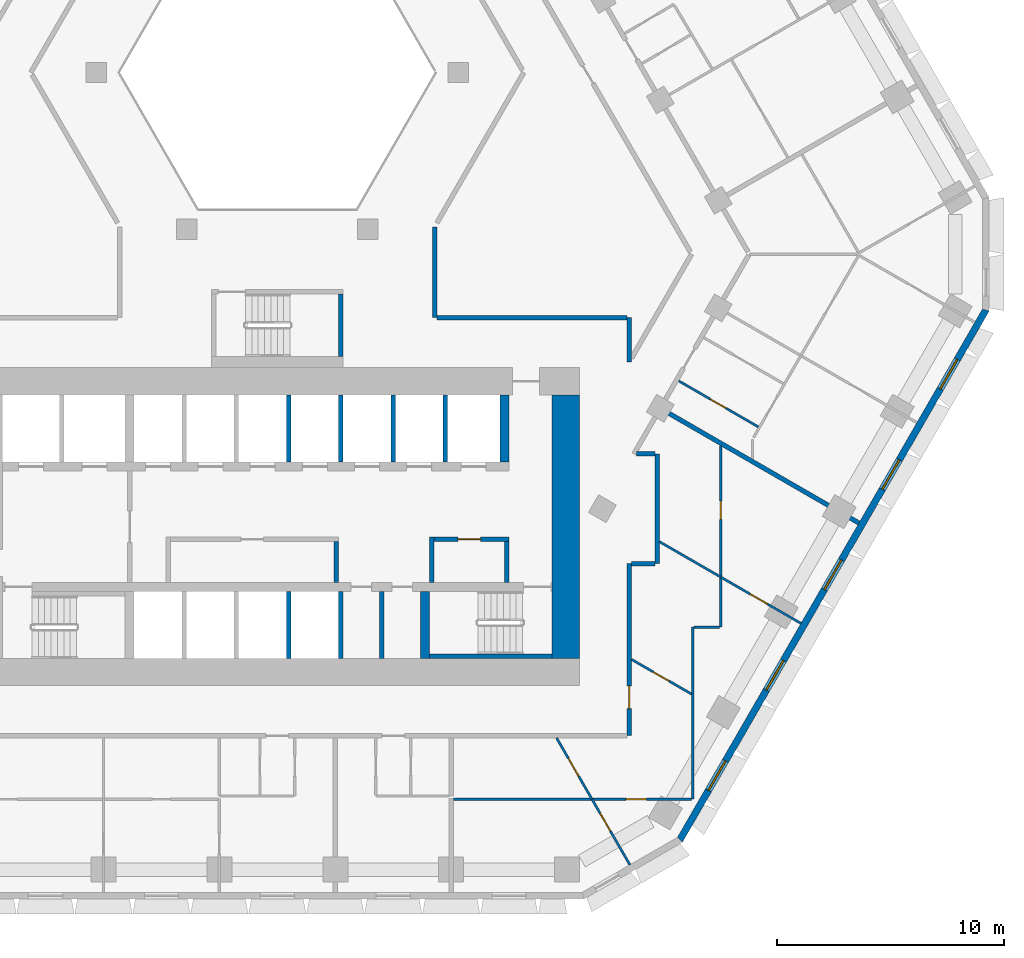
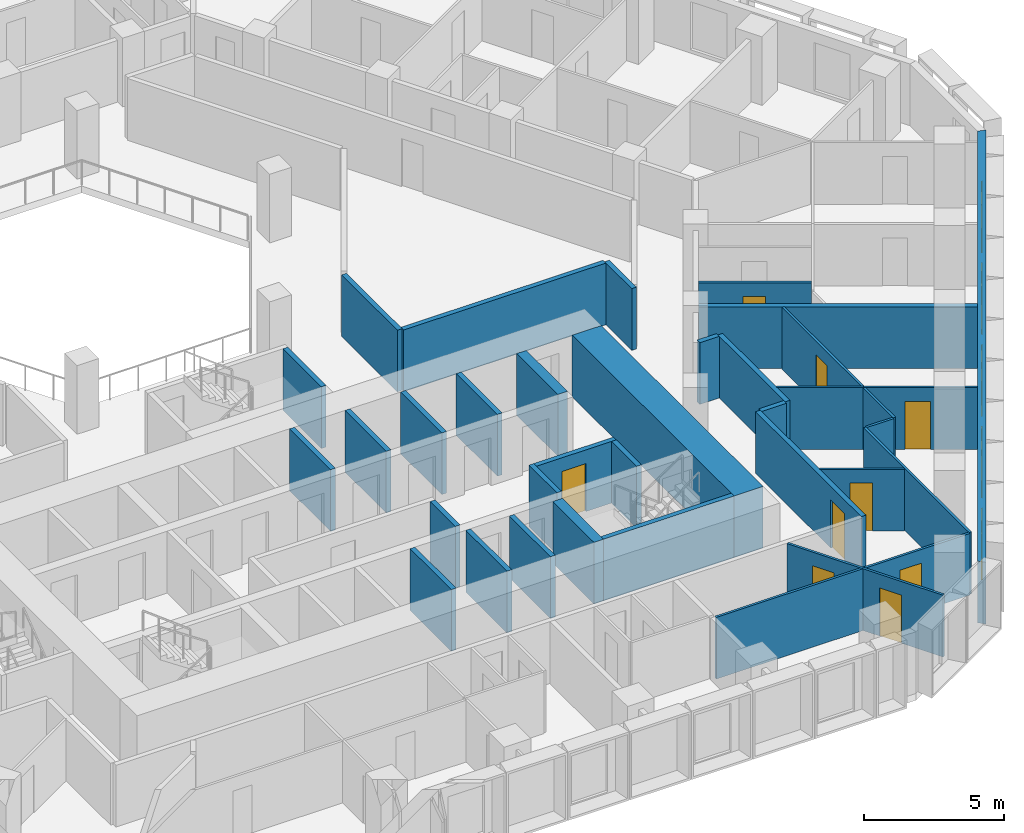
# One storey, part 6 of 16: 35 walls, 9 doors, 5 windows, 14 openings.
"""IFC4 building model written with IfcOpenShell, lengths in metres."""

from ifc_helpers import new_model, si_unit, direction, frame, frame_2d, origin, place, context, subcontext, project, spatial, polyline, rectangle, outline, extrude, material, layer, layer_set, type_object, element, fill, save


model = new_model("IFC4")

# Units and contexts
model_context = context("Model", 3, precision=1e-05, world=origin(), true_north=direction((0.0, 1.0)))
body_context = subcontext(model_context, "Body", "Model", "MODEL_VIEW")
ifc_project = project(units=[si_unit("LENGTHUNIT", "METRE"), si_unit("AREAUNIT", "SQUARE_METRE"), si_unit("VOLUMEUNIT", "CUBIC_METRE"), si_unit("PLANEANGLEUNIT", "RADIAN"), si_unit("MASSUNIT", "GRAM", prefix="KILO")], contexts=[model_context])

# Site, building, storey
site_placement = place(None, origin())
site = spatial("IfcSite", under=ifc_project, at=site_placement, CompositionType="ELEMENT")
building_placement = place(site_placement, origin())
building = spatial("IfcBuilding", under=site, at=building_placement, Name="Beryl Residences", CompositionType="ELEMENT")
storey_placement = place(building_placement, frame((0.0, 0.0, 26.39990234375)))
storey = spatial("IfcBuildingStorey", under=building, at=storey_placement, Name="L07", CompositionType="ELEMENT", Elevation=26.39990234375)

# Wall, openings, windows
ifc_material_1 = material(Name="Composite metal panel with mineral wool insulation")
ifc_layer_1 = layer(ifc_material_1, 0.300048828125)
ifc_layer_set_1 = layer_set([ifc_layer_1], Name="ES1 pale metal composite panel wall 300 mm")
wall_type_1 = type_object("IfcWallType", Name="ES1 pale metal composite panel wall 300 mm", PredefinedType="SOLIDWALL", material=ifc_layer_set_1)
wall_1_placement = place(storey_placement, frame((17.7099609375, -25.824951171875, 0.0), z_axis=(0.0, 0.0, 1.0), x_axis=(0.500001938803, 0.866024284413, 0.0)))
wall_1 = element("IfcWall", 1, at=wall_1_placement, inside=storey, type_object=wall_type_1, Name="ES1 external wall L07 SE", PredefinedType="SOLIDWALL", context=body_context, shape_type="SweptSolid", body=[
    extrude(outline(polyline([(0.0, -0.14990234375), (27.02001953125, -0.14990234375), (26.939697265625, 0.14990234375), (0.080322265625, 0.14990234375), (0.0, -0.14990234375)])), origin(), (0.0, 0.0, 1.0), 2.7001953125),
])
opening_1_placement = place(wall_1_placement, frame((2.552978515625, 0.0, 0.14990234375)))
opening_1 = element("IfcOpeningElement", 2, at=opening_1_placement, cuts=wall_1, Name="Opening W1", PredefinedType="OPENING", context=body_context, shape_type="SweptSolid", body=[
    extrude(rectangle(XDim=1.5, YDim=2.10009765625, at=frame_2d((0.75, 1.050048828125))), frame((0.0, 0.159912109375, 0.0), z_axis=(0.0, -1.0, 0.0), x_axis=(1.0, 0.0, 0.0)), (0.0, 0.0, 1.0), 0.320068359375),
])
opening_2_placement = place(wall_1_placement, frame((7.657958984375, 0.0, 0.14990234375)))
opening_2 = element("IfcOpeningElement", 3, at=opening_2_placement, cuts=wall_1, Name="Opening W1", PredefinedType="OPENING", context=body_context, shape_type="SweptSolid", body=[
    extrude(rectangle(XDim=1.5, YDim=2.10009765625, at=frame_2d((0.75, 1.050048828125))), frame((0.0, 0.159912109375, 0.0), z_axis=(0.0, -1.0, 0.0), x_axis=(1.0, 0.0, 0.0)), (0.0, 0.0, 1.0), 0.320068359375),
])
opening_3_placement = place(wall_1_placement, frame((12.760986328125, 0.0, 0.14990234375)))
opening_3 = element("IfcOpeningElement", 4, at=opening_3_placement, cuts=wall_1, Name="Opening W1", PredefinedType="OPENING", context=body_context, shape_type="SweptSolid", body=[
    extrude(rectangle(XDim=1.5, YDim=2.10009765625, at=frame_2d((0.75, 1.050048828125))), frame((0.0, 0.159912109375, 0.0), z_axis=(0.0, -1.0, 0.0), x_axis=(1.0, 0.0, 0.0)), (0.0, 0.0, 1.0), 0.320068359375),
])
opening_4_placement = place(wall_1_placement, frame((17.864990234375, 0.0, 0.14990234375)))
opening_4 = element("IfcOpeningElement", 5, at=opening_4_placement, cuts=wall_1, Name="Opening W1", PredefinedType="OPENING", context=body_context, shape_type="SweptSolid", body=[
    extrude(rectangle(XDim=1.5, YDim=2.10009765625, at=frame_2d((0.75, 1.050048828125))), frame((0.0, 0.159912109375, 0.0), z_axis=(0.0, -1.0, 0.0), x_axis=(1.0, 0.0, 0.0)), (0.0, 0.0, 1.0), 0.320068359375),
])
opening_5_placement = place(wall_1_placement, frame((22.968994140625, 0.0, 0.14990234375)))
opening_5 = element("IfcOpeningElement", 6, at=opening_5_placement, cuts=wall_1, Name="Opening W1", PredefinedType="OPENING", context=body_context, shape_type="SweptSolid", body=[
    extrude(rectangle(XDim=1.5, YDim=2.10009765625, at=frame_2d((0.75, 1.050048828125))), frame((0.0, 0.159912109375, 0.0), z_axis=(0.0, -1.0, 0.0), x_axis=(1.0, 0.0, 0.0)), (0.0, 0.0, 1.0), 0.320068359375),
])
ifc_material_2 = material(Name="Aluminium and clear glass", Category="aluminium")
window_type = type_object("IfcWindowType", Name="W1 cell window 1500 x 2100 mm", PartitioningType="SINGLE_PANEL", PredefinedType="WINDOW", material=ifc_material_2)
window_1_placement = place(opening_1_placement, origin())
window_1 = element("IfcWindow", 7, at=window_1_placement, inside=storey, type_object=window_type, Name="W1 window L07 SE 2", OverallHeight=2.10009765625, OverallWidth=1.5, PartitioningType="SINGLE_PANEL", PredefinedType="WINDOW", context=body_context, shape_type="SweptSolid", body=[
    extrude(rectangle(XDim=1.5, YDim=2.10009765625, at=frame_2d((0.75, 1.050048828125))), frame((0.0, 0.030029296875, 0.0), z_axis=(0.0, -1.0, 0.0), x_axis=(1.0, 0.0, 0.0)), (0.0, 0.0, 1.0), 0.06005859375),
])
fill(opening_1, window_1)
window_2_placement = place(opening_2_placement, origin())
window_2 = element("IfcWindow", 8, at=window_2_placement, inside=storey, type_object=window_type, Name="W1 window L07 SE 4", OverallHeight=2.10009765625, OverallWidth=1.5, PartitioningType="SINGLE_PANEL", PredefinedType="WINDOW", context=body_context, shape_type="SweptSolid", body=[
    extrude(rectangle(XDim=1.5, YDim=2.10009765625, at=frame_2d((0.75, 1.050048828125))), frame((0.0, 0.030029296875, 0.0), z_axis=(0.0, -1.0, 0.0), x_axis=(1.0, 0.0, 0.0)), (0.0, 0.0, 1.0), 0.06005859375),
])
fill(opening_2, window_2)
window_3_placement = place(opening_3_placement, origin())
window_3 = element("IfcWindow", 9, at=window_3_placement, inside=storey, type_object=window_type, Name="W1 window L07 SE 6", OverallHeight=2.10009765625, OverallWidth=1.5, PartitioningType="SINGLE_PANEL", PredefinedType="WINDOW", context=body_context, shape_type="SweptSolid", body=[
    extrude(rectangle(XDim=1.5, YDim=2.10009765625, at=frame_2d((0.75, 1.050048828125))), frame((0.0, 0.030029296875, 0.0), z_axis=(0.0, -1.0, 0.0), x_axis=(1.0, 0.0, 0.0)), (0.0, 0.0, 1.0), 0.06005859375),
])
fill(opening_3, window_3)
window_4_placement = place(opening_4_placement, origin())
window_4 = element("IfcWindow", 10, at=window_4_placement, inside=storey, type_object=window_type, Name="W1 window L07 SE 8", OverallHeight=2.10009765625, OverallWidth=1.5, PartitioningType="SINGLE_PANEL", PredefinedType="WINDOW", context=body_context, shape_type="SweptSolid", body=[
    extrude(rectangle(XDim=1.5, YDim=2.10009765625, at=frame_2d((0.75, 1.050048828125))), frame((0.0, 0.030029296875, 0.0), z_axis=(0.0, -1.0, 0.0), x_axis=(1.0, 0.0, 0.0)), (0.0, 0.0, 1.0), 0.06005859375),
])
fill(opening_4, window_4)
window_5_placement = place(opening_5_placement, origin())
window_5 = element("IfcWindow", 11, at=window_5_placement, inside=storey, type_object=window_type, Name="W1 window L07 SE 10", OverallHeight=2.10009765625, OverallWidth=1.5, PartitioningType="SINGLE_PANEL", PredefinedType="WINDOW", context=body_context, shape_type="SweptSolid", body=[
    extrude(rectangle(XDim=1.5, YDim=2.10009765625, at=frame_2d((0.75, 1.050048828125))), frame((0.0, 0.030029296875, 0.0), z_axis=(0.0, -1.0, 0.0), x_axis=(1.0, 0.0, 0.0)), (0.0, 0.0, 1.0), 0.06005859375),
])
fill(opening_5, window_5)

# Wall, opening, door
ifc_material_3 = material(Name="Gypsum board partition on steel studs", Category="steel")
ifc_layer_2 = layer(ifc_material_3, 0.10009765625)
ifc_layer_set_2 = layer_set([ifc_layer_2], Name="PT1 partition 100 mm gypsum board on steel studs")
wall_type_2 = type_object("IfcWallType", Name="PT1 partition 100 mm gypsum board on steel studs", PredefinedType="PARTITIONING", material=ifc_layer_set_2)
wall_2_placement = place(storey_placement, frame((12.297119140625, -21.300048828125, 0.0), z_axis=(0.0, 0.0, 1.0), x_axis=(0.500004896655, -0.866022576681, 0.0)))
wall_2 = element("IfcWall", 12, at=wall_2_placement, inside=storey, type_object=wall_type_2, Name="Wall PT1 L07 003", PredefinedType="PARTITIONING", context=body_context, shape_type="SweptSolid", body=[
    extrude(rectangle(XDim=3.11767578125, YDim=0.10009765625, at=frame_2d((1.558837890625, 0.0))), origin(), (0.0, 0.0, 1.0), 2.7001953125),
])
opening_6_placement = place(wall_2_placement, frame((1.051025390625, 0.0, 0.0)))
opening_6 = element("IfcOpeningElement", 13, at=opening_6_placement, cuts=wall_2, Name="Opening D0436", PredefinedType="OPENING", context=body_context, shape_type="SweptSolid", body=[
    extrude(rectangle(XDim=0.89990234375, YDim=2.10009765625, at=frame_2d((0.449951171875, 1.050048828125))), frame((0.0, 0.06005859375, 0.0), z_axis=(0.0, -1.0, 0.0), x_axis=(1.0, 0.0, 0.0)), (0.0, 0.0, 1.0), 0.1201171875),
])
ifc_material_4 = material(Name="Timber door leaf", Category="wood")
door_type_1 = type_object("IfcDoorType", Name="D2 room door 900 x 2100 mm", OperationType="SINGLE_SWING_LEFT", PredefinedType="DOOR", material=ifc_material_4)
door_1_placement = place(opening_6_placement, origin())
door_1 = element("IfcDoor", 14, at=door_1_placement, inside=storey, type_object=door_type_1, Name="Door D0436 L07 001", OperationType="SINGLE_SWING_RIGHT", OverallHeight=2.10009765625, OverallWidth=0.89990234375, PredefinedType="DOOR", context=body_context, shape_type="SweptSolid", body=[
    extrude(rectangle(XDim=0.89990234375, YDim=2.10009765625, at=frame_2d((0.449951171875, 1.050048828125))), frame((0.0, 0.02490234375, 0.0), z_axis=(0.0, -1.0, 0.0), x_axis=(1.0, 0.0, 0.0)), (0.0, 0.0, 1.0), 0.050048828125),
])
fill(opening_6, door_1)

wall_3_placement = place(storey_placement, frame((15.60009765625, -17.845947265625, 0.0), z_axis=(0.0, 0.0, 1.0), x_axis=(0.866148385016, -0.499786929736, 0.0)))
wall_3 = element("IfcWall", 15, at=wall_3_placement, inside=storey, type_object=wall_type_2, Name="Wall PT1 L07 017", PredefinedType="PARTITIONING", context=body_context, shape_type="SweptSolid", body=[
    extrude(rectangle(XDim=3.059326171875, YDim=0.10009765625, at=frame_2d((1.52978515625, 0.0))), origin(), (0.0, 0.0, 1.0), 2.7001953125),
])
opening_7_placement = place(wall_3_placement, frame((1.10107421875, 0.0, 0.0)))
opening_7 = element("IfcOpeningElement", 16, at=opening_7_placement, cuts=wall_3, Name="Opening D0437", PredefinedType="OPENING", context=body_context, shape_type="SweptSolid", body=[
    extrude(rectangle(XDim=0.800048828125, YDim=2.10009765625, at=frame_2d((0.39990234375, 1.050048828125))), frame((0.0, 0.06005859375, 0.0), z_axis=(0.0, -1.0, 0.0), x_axis=(1.0, 0.0, 0.0)), (0.0, 0.0, 1.0), 0.1201171875),
])
ifc_material_5 = material(Name="Timber door leaf", Category="wood")
door_type_2 = type_object("IfcDoorType", Name="D3 bathroom door 800 x 2100 mm", OperationType="SINGLE_SWING_LEFT", PredefinedType="DOOR", material=ifc_material_5)
door_2_placement = place(opening_7_placement, origin())
door_2 = element("IfcDoor", 17, at=door_2_placement, inside=storey, type_object=door_type_2, Name="Door D0437 L07 001", OperationType="SINGLE_SWING_LEFT", OverallHeight=2.10009765625, OverallWidth=0.800048828125, PredefinedType="DOOR", context=body_context, shape_type="SweptSolid", body=[
    extrude(rectangle(XDim=0.800048828125, YDim=2.10009765625, at=frame_2d((0.39990234375, 1.050048828125))), frame((0.0, 0.02490234375, 0.0), z_axis=(0.0, -1.0, 0.0), x_axis=(1.0, 0.0, 0.0)), (0.0, 0.0, 1.0), 0.050048828125),
])
fill(opening_7, door_2)

# Wall
wall_4_placement = place(storey_placement, frame((16.827880859375, -12.660888671875, 0.0), z_axis=(0.0, 0.0, 1.0), x_axis=(0.866008246423, -0.500029716244, 0.0)))
element("IfcWall", 18, at=wall_4_placement, inside=storey, type_object=wall_type_2, Name="Wall PT1 L07 019", PredefinedType="PARTITIONING", context=body_context, shape_type="SweptSolid", body=[
    extrude(rectangle(XDim=3.117919921875, YDim=0.10009765625, at=frame_2d((1.55908203125, 0.0))), origin(), (0.0, 0.0, 1.0), 2.7001953125),
])

# Wall, opening, door
wall_5_placement = place(storey_placement, frame((17.677001953125, -5.58203125, 0.0), z_axis=(0.0, 0.0, 1.0), x_axis=(0.866015917575, -0.500016430238, 0.0)))
wall_5 = element("IfcWall", 19, at=wall_5_placement, inside=storey, type_object=wall_type_2, Name="Wall PT1 L07 020", PredefinedType="PARTITIONING", context=body_context, shape_type="SweptSolid", body=[
    extrude(rectangle(XDim=4.049560546875, YDim=0.10009765625, at=frame_2d((2.02490234375, 0.0))), origin(), (0.0, 0.0, 1.0), 2.7001953125),
])
opening_8_placement = place(wall_5_placement, frame((1.60009765625, 0.0, 0.0)))
opening_8 = element("IfcOpeningElement", 20, at=opening_8_placement, cuts=wall_5, Name="Opening D0442", PredefinedType="OPENING", context=body_context, shape_type="SweptSolid", body=[
    extrude(rectangle(XDim=0.800048828125, YDim=2.10009765625, at=frame_2d((0.39990234375, 1.050048828125))), frame((0.0, 0.06005859375, 0.0), z_axis=(0.0, -1.0, 0.0), x_axis=(1.0, 0.0, 0.0)), (0.0, 0.0, 1.0), 0.1201171875),
])
door_3_placement = place(opening_8_placement, origin())
door_3 = element("IfcDoor", 21, at=door_3_placement, inside=storey, type_object=door_type_2, Name="Door D0442 L07 001", OperationType="SINGLE_SWING_RIGHT", OverallHeight=2.10009765625, OverallWidth=0.800048828125, PredefinedType="DOOR", context=body_context, shape_type="SweptSolid", body=[
    extrude(rectangle(XDim=0.800048828125, YDim=2.10009765625, at=frame_2d((0.39990234375, 1.050048828125))), frame((0.0, 0.02490234375, 0.0), z_axis=(0.0, -1.0, 0.0), x_axis=(1.0, 0.0, 0.0)), (0.0, 0.0, 1.0), 0.050048828125),
])
fill(opening_8, door_3)

# Wall
wall_6_placement = place(storey_placement, frame((18.35009765625, -16.424072265625, 0.0), z_axis=(0.0, 0.0, 1.0), x_axis=(1.0, 0.0, 0.0)))
element("IfcWall", 22, at=wall_6_placement, inside=storey, type_object=wall_type_2, Name="Wall PT1 L07 029", PredefinedType="PARTITIONING", context=body_context, shape_type="SweptSolid", body=[
    extrude(rectangle(XDim=1.1279296875, YDim=0.10009765625, at=frame_2d((0.56396484375, 0.0))), origin(), (0.0, 0.0, 1.0), 2.7001953125),
])

# Wall, opening, door
wall_7_placement = place(storey_placement, frame((7.757080078125, -24.0, 0.0), z_axis=(0.0, 0.0, 1.0), x_axis=(1.0, 0.0, 0.0)))
wall_7 = element("IfcWall", 23, at=wall_7_placement, inside=storey, type_object=wall_type_2, Name="Wall PT1 L07 033", PredefinedType="PARTITIONING", context=body_context, shape_type="SweptSolid", body=[
    extrude(rectangle(XDim=10.492919921875, YDim=0.10009765625, at=frame_2d((5.24658203125, 0.0))), origin(), (0.0, 0.0, 1.0), 2.7001953125),
])
opening_9_placement = place(wall_7_placement, frame((7.593017578125, 0.0, 0.0)))
opening_9 = element("IfcOpeningElement", 24, at=opening_9_placement, cuts=wall_7, Name="Opening D0435", PredefinedType="OPENING", context=body_context, shape_type="SweptSolid", body=[
    extrude(rectangle(XDim=0.89990234375, YDim=2.10009765625, at=frame_2d((0.449951171875, 1.050048828125))), frame((0.0, 0.06005859375, 0.0), z_axis=(0.0, -1.0, 0.0), x_axis=(1.0, 0.0, 0.0)), (0.0, 0.0, 1.0), 0.1201171875),
])
door_4_placement = place(opening_9_placement, origin())
door_4 = element("IfcDoor", 25, at=door_4_placement, inside=storey, type_object=door_type_1, Name="Door D0435 L07 001", OperationType="SINGLE_SWING_LEFT", OverallHeight=2.10009765625, OverallWidth=0.89990234375, PredefinedType="DOOR", context=body_context, shape_type="SweptSolid", body=[
    extrude(rectangle(XDim=0.89990234375, YDim=2.10009765625, at=frame_2d((0.449951171875, 1.050048828125))), frame((0.0, 0.02490234375, 0.0), z_axis=(0.0, -1.0, 0.0), x_axis=(1.0, 0.0, 0.0)), (0.0, 0.0, 1.0), 0.050048828125),
])
fill(opening_9, door_4)

# Wall
wall_8_placement = place(storey_placement, frame((18.300048828125, -24.0, 0.0), z_axis=(0.0, 0.0, 1.0), x_axis=(0.0, 1.0, 0.0)))
element("IfcWall", 26, at=wall_8_placement, inside=storey, type_object=wall_type_2, Name="Wall PT1 L07 046", PredefinedType="PARTITIONING", context=body_context, shape_type="SweptSolid", body=[
    extrude(rectangle(XDim=7.575927734375, YDim=0.10009765625, at=frame_2d((3.7880859375, 0.0))), origin(), (0.0, 0.0, 1.0), 2.7001953125),
])

# Wall, opening, door
wall_9_placement = place(storey_placement, frame((19.528076171875, -16.424072265625, 0.0), z_axis=(0.0, 0.0, 1.0), x_axis=(0.0, 1.0, 0.0)))
wall_9 = element("IfcWall", 27, at=wall_9_placement, inside=storey, type_object=wall_type_2, Name="Wall PT1 L07 047", PredefinedType="PARTITIONING", context=body_context, shape_type="SweptSolid", body=[
    extrude(rectangle(XDim=7.982177734375, YDim=0.10009765625, at=frame_2d((3.9912109375, 0.0))), origin(), (0.0, 0.0, 1.0), 2.7001953125),
])
opening_10_placement = place(wall_9_placement, frame((4.75, 0.0, 0.0)))
opening_10 = element("IfcOpeningElement", 28, at=opening_10_placement, cuts=wall_9, Name="Opening D0440", PredefinedType="OPENING", context=body_context, shape_type="SweptSolid", body=[
    extrude(rectangle(XDim=0.800048828125, YDim=2.10009765625, at=frame_2d((0.39990234375, 1.050048828125))), frame((0.0, 0.06005859375, 0.0), z_axis=(0.0, -1.0, 0.0), x_axis=(1.0, 0.0, 0.0)), (0.0, 0.0, 1.0), 0.1201171875),
])
door_5_placement = place(opening_10_placement, origin())
door_5 = element("IfcDoor", 29, at=door_5_placement, inside=storey, type_object=door_type_2, Name="Door D0440 L07 001", OperationType="SINGLE_SWING_RIGHT", OverallHeight=2.10009765625, OverallWidth=0.800048828125, PredefinedType="DOOR", context=body_context, shape_type="SweptSolid", body=[
    extrude(rectangle(XDim=0.800048828125, YDim=2.10009765625, at=frame_2d((0.39990234375, 1.050048828125))), frame((0.0, 0.02490234375, 0.0), z_axis=(0.0, -1.0, 0.0), x_axis=(1.0, 0.0, 0.0)), (0.0, 0.0, 1.0), 0.050048828125),
])
fill(opening_10, door_5)

wall_10_placement = place(storey_placement, frame((13.85595703125, -24.0, 0.0), z_axis=(0.0, 0.0, 1.0), x_axis=(0.50010451262, -0.865965054986, 0.0)))
wall_10 = element("IfcWall", 30, at=wall_10_placement, inside=storey, type_object=wall_type_2, Name="Wall PT1 L07 072", PredefinedType="PARTITIONING", context=body_context, shape_type="SweptSolid", body=[
    extrude(rectangle(XDim=3.337158203125, YDim=0.10009765625, at=frame_2d((1.66845703125, 0.0))), origin(), (0.0, 0.0, 1.0), 2.7001953125),
])
opening_11_placement = place(wall_10_placement, frame((0.718017578125, 0.0, 0.0)))
opening_11 = element("IfcOpeningElement", 31, at=opening_11_placement, cuts=wall_10, Name="Opening D0439", PredefinedType="OPENING", context=body_context, shape_type="SweptSolid", body=[
    extrude(rectangle(XDim=0.89990234375, YDim=2.10009765625, at=frame_2d((0.449951171875, 1.050048828125))), frame((0.0, 0.06005859375, 0.0), z_axis=(0.0, -1.0, 0.0), x_axis=(1.0, 0.0, 0.0)), (0.0, 0.0, 1.0), 0.1201171875),
])
door_6_placement = place(opening_11_placement, origin())
door_6 = element("IfcDoor", 32, at=door_6_placement, inside=storey, type_object=door_type_1, Name="Door D0439 L07 001", OperationType="SINGLE_SWING_LEFT", OverallHeight=2.10009765625, OverallWidth=0.89990234375, PredefinedType="DOOR", context=body_context, shape_type="SweptSolid", body=[
    extrude(rectangle(XDim=0.89990234375, YDim=2.10009765625, at=frame_2d((0.449951171875, 1.050048828125))), frame((0.0, 0.02490234375, 0.0), z_axis=(0.0, -1.0, 0.0), x_axis=(1.0, 0.0, 0.0)), (0.0, 0.0, 1.0), 0.050048828125),
])
fill(opening_11, door_6)

wall_11_placement = place(storey_placement, frame((19.528076171875, -14.219970703125, 0.0), z_axis=(0.0, 0.0, 1.0), x_axis=(0.866039047082, -0.499976368371, 0.0)))
wall_11 = element("IfcWall", 33, at=wall_11_placement, inside=storey, type_object=wall_type_2, Name="Wall PT1 L07 073", PredefinedType="PARTITIONING", context=body_context, shape_type="SweptSolid", body=[
    extrude(rectangle(XDim=4.078369140625, YDim=0.10009765625, at=frame_2d((2.0390625, 0.0))), origin(), (0.0, 0.0, 1.0), 2.7001953125),
])
opening_12_placement = place(wall_11_placement, frame((1.489013671875, 0.0, 0.0)))
opening_12 = element("IfcOpeningElement", 34, at=opening_12_placement, cuts=wall_11, Name="Opening D0438", PredefinedType="OPENING", context=body_context, shape_type="SweptSolid", body=[
    extrude(rectangle(XDim=0.89990234375, YDim=2.10009765625, at=frame_2d((0.449951171875, 1.050048828125))), frame((0.0, 0.06005859375, 0.0), z_axis=(0.0, -1.0, 0.0), x_axis=(1.0, 0.0, 0.0)), (0.0, 0.0, 1.0), 0.1201171875),
])
door_7_placement = place(opening_12_placement, origin())
door_7 = element("IfcDoor", 35, at=door_7_placement, inside=storey, type_object=door_type_1, Name="Door D0438 L07 001", OperationType="SINGLE_SWING_RIGHT", OverallHeight=2.10009765625, OverallWidth=0.89990234375, PredefinedType="DOOR", context=body_context, shape_type="SweptSolid", body=[
    extrude(rectangle(XDim=0.89990234375, YDim=2.10009765625, at=frame_2d((0.449951171875, 1.050048828125))), frame((0.0, 0.02490234375, 0.0), z_axis=(0.0, -1.0, 0.0), x_axis=(1.0, 0.0, 0.0)), (0.0, 0.0, 1.0), 0.050048828125),
])
fill(opening_12, door_7)

# Walls
ifc_material_6 = material(Name="Concrete masonry", Category="masonry")
ifc_layer_3 = layer(ifc_material_6, 0.199951171875)
ifc_layer_set_3 = layer_set([ifc_layer_3], Name="PT13 lobby wall 200 mm")
wall_type_3 = type_object("IfcWallType", Name="PT13 lobby wall 200 mm", PredefinedType="PARTITIONING", material=ifc_layer_set_3)
wall_12_placement = place(storey_placement, frame((2.60009765625, -14.449951171875, 0.0), z_axis=(0.0, 0.0, 1.0), x_axis=(0.0, 1.0, 0.0)))
element("IfcWall", 36, at=wall_12_placement, inside=storey, type_object=wall_type_3, Name="Lobby wall 15", PredefinedType="PARTITIONING", context=body_context, shape_type="SweptSolid", body=[
    extrude(rectangle(XDim=1.800048828125, YDim=0.199951171875, at=frame_2d((0.89990234375, 0.0))), origin(), (0.0, 0.0, 1.0), 2.7001953125),
])
wall_13_placement = place(storey_placement, frame((6.800048828125, -14.449951171875, 0.0), z_axis=(0.0, 0.0, 1.0), x_axis=(0.0, 1.0, 0.0)))
element("IfcWall", 37, at=wall_13_placement, inside=storey, type_object=wall_type_3, Name="Lobby wall 21", PredefinedType="PARTITIONING", context=body_context, shape_type="SweptSolid", body=[
    extrude(rectangle(XDim=2.0, YDim=0.199951171875, at=frame_2d((1.0, 0.0))), origin(), (0.0, 0.0, 1.0), 2.7001953125),
])

# Wall, opening, door
wall_14_placement = place(storey_placement, frame((6.89990234375, -12.550048828125, 0.0), z_axis=(0.0, 0.0, 1.0), x_axis=(1.0, 0.0, 0.0)))
wall_14 = element("IfcWall", 38, at=wall_14_placement, inside=storey, type_object=wall_type_3, Name="Lobby wall 22", PredefinedType="PARTITIONING", context=body_context, shape_type="SweptSolid", body=[
    extrude(rectangle(XDim=3.300048828125, YDim=0.199951171875, at=frame_2d((1.64990234375, 0.0))), origin(), (0.0, 0.0, 1.0), 2.7001953125),
])
opening_13_placement = place(wall_14_placement, frame((2.050048828125, 0.0, 0.0), z_axis=(0.0, 0.0, 1.0), x_axis=(-1.0, 0.0, 0.0)))
opening_13 = element("IfcOpeningElement", 39, at=opening_13_placement, cuts=wall_14, Name="Opening CD-D-A2", PredefinedType="OPENING", context=body_context, shape_type="SweptSolid", body=[
    extrude(rectangle(XDim=1.0, YDim=2.10009765625, at=frame_2d((0.5, 1.050048828125))), frame((0.0, 0.10986328125, 0.0), z_axis=(0.0, -1.0, 0.0), x_axis=(1.0, 0.0, 0.0)), (0.0, 0.0, 1.0), 0.219970703125),
])
ifc_material_7 = material(Name="Steel door leaf in steel frame", Category="steel")
door_type_3 = type_object("IfcDoorType", Name="D18 service room door 1000 x 2100 mm", OperationType="SINGLE_SWING_LEFT", PredefinedType="DOOR", material=ifc_material_7)
door_8_placement = place(opening_13_placement, origin())
door_8 = element("IfcDoor", 40, at=door_8_placement, inside=storey, type_object=door_type_3, Name="Door CD-D-A2 L07 001", OperationType="SINGLE_SWING_LEFT", OverallHeight=2.10009765625, OverallWidth=1.0, PredefinedType="DOOR", context=body_context, shape_type="SweptSolid", body=[
    extrude(rectangle(XDim=1.0, YDim=2.10009765625, at=frame_2d((0.5, 1.050048828125))), frame((0.0, 0.02490234375, 0.0), z_axis=(0.0, -1.0, 0.0), x_axis=(1.0, 0.0, 0.0)), (0.0, 0.0, 1.0), 0.050048828125),
])
fill(opening_13, door_8)

# Walls
wall_15_placement = place(storey_placement, frame((10.10009765625, -14.449951171875, 0.0), z_axis=(0.0, 0.0, 1.0), x_axis=(0.0, 1.0, 0.0)))
element("IfcWall", 41, at=wall_15_placement, inside=storey, type_object=wall_type_3, Name="Lobby wall 24", PredefinedType="PARTITIONING", context=body_context, shape_type="SweptSolid", body=[
    extrude(rectangle(XDim=1.800048828125, YDim=0.199951171875, at=frame_2d((0.89990234375, 0.0))), origin(), (0.0, 0.0, 1.0), 2.7001953125),
])
ifc_material_8 = material(Name="Acoustic double stud gypsum board wall")
ifc_layer_4 = layer(ifc_material_8, 0.199951171875)
ifc_layer_set_4 = layer_set([ifc_layer_4], Name="PT3 party wall 200 mm acoustic double stud")
wall_type_4 = type_object("IfcWallType", Name="PT3 party wall 200 mm acoustic double stud", PredefinedType="PARTITIONING", material=ifc_layer_set_4)
wall_16_placement = place(storey_placement, frame((16.950927734375, -6.839111328125, 0.0), z_axis=(0.0, 0.0, 1.0), x_axis=(0.866022959057, -0.500004234368, 0.0)))
element("IfcWall", 42, at=wall_16_placement, inside=storey, type_object=wall_type_4, Name="Wall PT3 L07 011", PredefinedType="PARTITIONING", context=body_context, shape_type="SweptSolid", body=[
    extrude(rectangle(XDim=10.0, YDim=0.199951171875, at=frame_2d((5.0, 0.0))), origin(), (0.0, 0.0, 1.0), 2.7001953125),
])
ifc_material_9 = material(Name="Double stud gypsum board wall")
ifc_layer_5 = layer(ifc_material_9, 0.199951171875)
ifc_layer_set_5 = layer_set([ifc_layer_5], Name="PT4 corridor wall 200 mm double stud")
wall_type_5 = type_object("IfcWallType", Name="PT4 corridor wall 200 mm double stud", PredefinedType="PARTITIONING", material=ifc_layer_set_5)
wall_17_placement = place(storey_placement, frame((15.822021484375, -8.7939453125, 0.0), z_axis=(0.0, 0.0, 1.0), x_axis=(1.0, 0.0, 0.0)))
element("IfcWall", 43, at=wall_17_placement, inside=storey, type_object=wall_type_5, Name="Wall PT4 L07 010", PredefinedType="PARTITIONING", context=body_context, shape_type="SweptSolid", body=[
    extrude(rectangle(XDim=0.805908203125, YDim=0.199951171875, at=frame_2d((0.40283203125, 0.0))), origin(), (0.0, 0.0, 1.0), 2.7001953125),
])
wall_18_placement = place(storey_placement, frame((15.60009765625, -13.6240234375, 0.0), z_axis=(0.0, 0.0, 1.0), x_axis=(1.0, 0.0, 0.0)))
element("IfcWall", 44, at=wall_18_placement, inside=storey, type_object=wall_type_5, Name="Wall PT4 L07 011", PredefinedType="PARTITIONING", context=body_context, shape_type="SweptSolid", body=[
    extrude(rectangle(XDim=1.02783203125, YDim=0.199951171875, at=frame_2d((0.513916015625, 0.0))), origin(), (0.0, 0.0, 1.0), 2.7001953125),
])
wall_19_placement = place(storey_placement, frame((7.028076171875, -2.800048828125, 0.0), z_axis=(0.0, 0.0, 1.0), x_axis=(1.0, 0.0, 0.0)))
element("IfcWall", 45, at=wall_19_placement, inside=storey, type_object=wall_type_5, Name="Wall PT4 L07 015", PredefinedType="PARTITIONING", context=body_context, shape_type="SweptSolid", body=[
    extrude(rectangle(XDim=8.371826171875, YDim=0.199951171875, at=frame_2d((4.18603515625, 0.0))), origin(), (0.0, 0.0, 1.0), 2.7001953125),
])
wall_20_placement = place(storey_placement, frame((6.927978515625, -2.800048828125, 0.0), z_axis=(0.0, 0.0, 1.0), x_axis=(0.0, 1.0, 0.0)))
element("IfcWall", 46, at=wall_20_placement, inside=storey, type_object=wall_type_5, Name="Wall PT4 L07 025", PredefinedType="PARTITIONING", context=body_context, shape_type="SweptSolid", body=[
    extrude(rectangle(XDim=4.0, YDim=0.199951171875, at=frame_2d((2.0, 0.0))), origin(), (0.0, 0.0, 1.0), 2.7001953125),
])

# Wall, opening, door
wall_21_placement = place(storey_placement, frame((15.5, -21.198974609375, 0.0), z_axis=(0.0, 0.0, 1.0), x_axis=(0.0, 1.0, 0.0)))
wall_21 = element("IfcWall", 47, at=wall_21_placement, inside=storey, type_object=wall_type_5, Name="Wall PT4 L07 026", PredefinedType="PARTITIONING", context=body_context, shape_type="SweptSolid", body=[
    extrude(rectangle(XDim=7.574951171875, YDim=0.199951171875, at=frame_2d((3.78759765625, 0.0))), origin(), (0.0, 0.0, 1.0), 2.7001953125),
])
opening_14_placement = place(wall_21_placement, frame((1.18798828125, 0.0, 0.0)))
opening_14 = element("IfcOpeningElement", 48, at=opening_14_placement, cuts=wall_21, Name="Opening D0434", PredefinedType="OPENING", context=body_context, shape_type="SweptSolid", body=[
    extrude(rectangle(XDim=1.0, YDim=2.10009765625, at=frame_2d((0.5, 1.050048828125))), frame((0.0, 0.10986328125, 0.0), z_axis=(0.0, -1.0, 0.0), x_axis=(1.0, 0.0, 0.0)), (0.0, 0.0, 1.0), 0.219970703125),
])
ifc_material_10 = material(Name="Timber door leaf", Category="wood")
door_type_4 = type_object("IfcDoorType", Name="D1 flat entrance door 1000 x 2100 mm", OperationType="SINGLE_SWING_LEFT", PredefinedType="DOOR", material=ifc_material_10)
door_9_placement = place(opening_14_placement, origin())
door_9 = element("IfcDoor", 49, at=door_9_placement, inside=storey, type_object=door_type_4, Name="Door D0434 L07 001", OperationType="SINGLE_SWING_RIGHT", OverallHeight=2.10009765625, OverallWidth=1.0, PredefinedType="DOOR", context=body_context, shape_type="SweptSolid", body=[
    extrude(rectangle(XDim=1.0, YDim=2.10009765625, at=frame_2d((0.5, 1.050048828125))), frame((0.0, 0.02490234375, 0.0), z_axis=(0.0, -1.0, 0.0), x_axis=(1.0, 0.0, 0.0)), (0.0, 0.0, 1.0), 0.050048828125),
])
fill(opening_14, door_9)

# Walls
wall_22_placement = place(storey_placement, frame((15.5, -4.751953125, 0.0), z_axis=(0.0, 0.0, 1.0), x_axis=(0.0, 1.0, 0.0)))
element("IfcWall", 50, at=wall_22_placement, inside=storey, type_object=wall_type_5, Name="Wall PT4 L07 027", PredefinedType="PARTITIONING", context=body_context, shape_type="SweptSolid", body=[
    extrude(rectangle(XDim=1.951904296875, YDim=0.199951171875, at=frame_2d((0.97607421875, 0.0))), origin(), (0.0, 0.0, 1.0), 2.7001953125),
])
wall_23_placement = place(storey_placement, frame((16.72802734375, -13.6240234375, 0.0), z_axis=(0.0, 0.0, 1.0), x_axis=(0.0, 1.0, 0.0)))
element("IfcWall", 51, at=wall_23_placement, inside=storey, type_object=wall_type_5, Name="Wall PT4 L07 028", PredefinedType="PARTITIONING", context=body_context, shape_type="SweptSolid", body=[
    extrude(rectangle(XDim=4.830078125, YDim=0.199951171875, at=frame_2d((2.4150390625, 0.0))), origin(), (0.0, 0.0, 1.0), 2.7001953125),
])
ifc_material_11 = material(Name="Concrete C40/50", Category="concrete")
ifc_layer_6 = layer(ifc_material_11, 0.199951171875)
ifc_layer_set_6 = layer_set([ifc_layer_6], Name="PT5 stair enclosure wall 200 mm reinforced concrete C40/50")
wall_type_6 = type_object("IfcWallType", Name="PT5 stair enclosure wall 200 mm reinforced concrete C40/50", PredefinedType="SOLIDWALL", material=ifc_layer_set_6)
wall_24_placement = place(storey_placement, frame((2.800048828125, -4.5, 0.0), z_axis=(0.0, 0.0, 1.0), x_axis=(0.0, 1.0, 0.0)))
element("IfcWall", 52, at=wall_24_placement, inside=storey, type_object=wall_type_6, Name="Wall PT5 L07 003", PredefinedType="SOLIDWALL", context=body_context, shape_type="SweptSolid", body=[
    extrude(rectangle(XDim=2.75, YDim=0.199951171875, at=frame_2d((1.375, 0.0))), origin(), (0.0, 0.0, 1.0), 2.7001953125),
])
wall_25_placement = place(storey_placement, frame((6.699951171875, -17.699951171875, 0.0), z_axis=(0.0, 0.0, 1.0), x_axis=(1.0, 0.0, 0.0)))
element("IfcWall", 53, at=wall_25_placement, inside=storey, type_object=wall_type_6, Name="Stair wall 20", PredefinedType="SOLIDWALL", context=body_context, shape_type="SweptSolid", body=[
    extrude(rectangle(XDim=5.400146484375, YDim=0.199951171875, at=frame_2d((2.7001953125, 0.0))), origin(), (0.0, 0.0, 1.0), 2.7001953125),
])
ifc_material_12 = material(Name="Concrete C40/50", Category="concrete")
ifc_layer_7 = layer(ifc_material_12, 0.199951171875)
ifc_layer_set_7 = layer_set([ifc_layer_7], Name="PT6 lift shaft wall 200 mm reinforced concrete C40/50")
wall_type_7 = type_object("IfcWallType", Name="PT6 lift shaft wall 200 mm reinforced concrete C40/50", PredefinedType="SOLIDWALL", material=ifc_layer_set_7)
for number, where, z_axis, x_axis, name in (
    (54, (0.5, -17.800048828125, 0.0), (0.0, 0.0, 1.0), (0.0, 1.0, 0.0), "Lift shaft wall 13"),
    (55, (0.5, -9.14990234375, 0.0), (0.0, 0.0, 1.0), (0.0, 1.0, 0.0), "Lift shaft wall 14"),
    (56, (2.800048828125, -17.800048828125, 0.0), (0.0, 0.0, 1.0), (0.0, 1.0, 0.0), "Lift shaft wall 16"),
    (57, (2.800048828125, -9.14990234375, 0.0), (0.0, 0.0, 1.0), (0.0, 1.0, 0.0), "Lift shaft wall 17"),
    (58, (5.10009765625, -9.14990234375, 0.0), (0.0, 0.0, 1.0), (0.0, 1.0, 0.0), "Lift shaft wall 19"),
    (59, (7.39990234375, -9.14990234375, 0.0), (0.0, 0.0, 1.0), (0.0, 1.0, 0.0), "Lift shaft wall 23"),
):
    element("IfcWall", number, at=place(storey_placement, frame(where, z_axis=z_axis, x_axis=x_axis)), inside=storey, type_object=wall_type_7, Name=name, PredefinedType="SOLIDWALL", context=body_context, shape_type="SweptSolid", body=[
        extrude(rectangle(XDim=2.949951171875, YDim=0.199951171875, at=frame_2d((1.47509765625, 0.0))), origin(), (0.0, 0.0, 1.0), 2.7001953125),
    ])
ifc_material_13 = material(Name="Concrete masonry", Category="masonry")
ifc_layer_8 = layer(ifc_material_13, 0.199951171875)
ifc_layer_set_8 = layer_set([ifc_layer_8], Name="PT8-200 service room wall 200 mm")
wall_type_8 = type_object("IfcWallType", Name="PT8-200 service room wall 200 mm", PredefinedType="PARTITIONING", material=ifc_layer_set_8)
wall_26_placement = place(storey_placement, frame((4.60009765625, -17.800048828125, 0.0), z_axis=(0.0, 0.0, 1.0), x_axis=(0.0, 1.0, 0.0)))
element("IfcWall", 60, at=wall_26_placement, inside=storey, type_object=wall_type_8, Name="Core room wall 18", PredefinedType="PARTITIONING", context=body_context, shape_type="SweptSolid", body=[
    extrude(rectangle(XDim=2.949951171875, YDim=0.199951171875, at=frame_2d((1.47509765625, 0.0))), origin(), (0.0, 0.0, 1.0), 2.7001953125),
])
ifc_material_14 = material(Name="Concrete C80/95", Category="concrete")
ifc_layer_9 = layer(ifc_material_14, 1.199951171875)
ifc_layer_set_9 = layer_set([ifc_layer_9], Name="SW1 core outer wall 1200 mm C80/95")
wall_type_9 = type_object("IfcWallType", Name="SW1 core outer wall 1200 mm C80/95", PredefinedType="SHEAR", material=ifc_layer_set_9)
wall_27_placement = place(storey_placement, frame((12.699951171875, -17.800048828125, 0.0), z_axis=(0.0, 0.0, 1.0), x_axis=(0.0, 1.0, 0.0)))
element("IfcWall", 61, at=wall_27_placement, inside=storey, type_object=wall_type_9, Name="Core wall E L07", PredefinedType="SHEAR", context=body_context, shape_type="SweptSolid", body=[
    extrude(rectangle(XDim=11.60009765625, YDim=1.199951171875, at=frame_2d((5.800048828125, 0.0))), origin(), (0.0, 0.0, 1.0), 2.7001953125),
])
ifc_material_15 = material(Name="Concrete C80/95", Category="concrete")
ifc_layer_10 = layer(ifc_material_15, 0.39990234375)
ifc_layer_set_10 = layer_set([ifc_layer_10], Name="SW6 core internal wall 400 mm C80/95")
wall_type_10 = type_object("IfcWallType", Name="SW6 core internal wall 400 mm C80/95", PredefinedType="SHEAR", material=ifc_layer_set_10)
for number, where, z_axis, x_axis, name in (
    (62, (6.5, -17.800048828125, 0.0), (0.0, 0.0, 1.0), (0.0, 1.0, 0.0), "Core wall XS2 L07"),
    (63, (10.0, -9.14990234375, 0.0), (0.0, 0.0, 1.0), (0.0, 1.0, 0.0), "Core wall XN2 L07"),
):
    element("IfcWall", number, at=place(storey_placement, frame(where, z_axis=z_axis, x_axis=x_axis)), inside=storey, type_object=wall_type_10, Name=name, PredefinedType="SHEAR", context=body_context, shape_type="SweptSolid", body=[
        extrude(rectangle(XDim=2.949951171875, YDim=0.39990234375, at=frame_2d((1.47509765625, 0.0))), origin(), (0.0, 0.0, 1.0), 2.7001953125),
    ])

save(model, "model.ifc")
